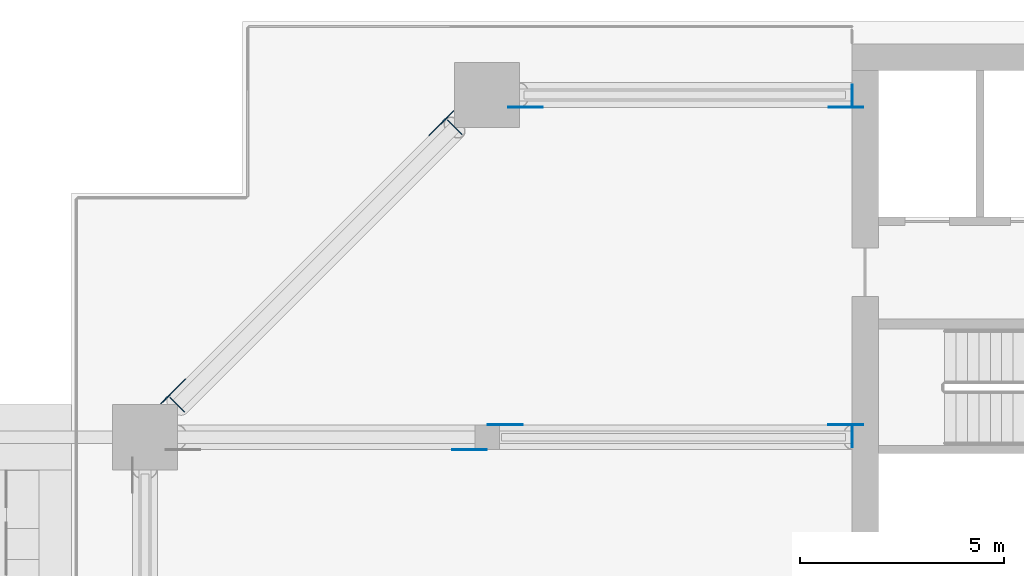
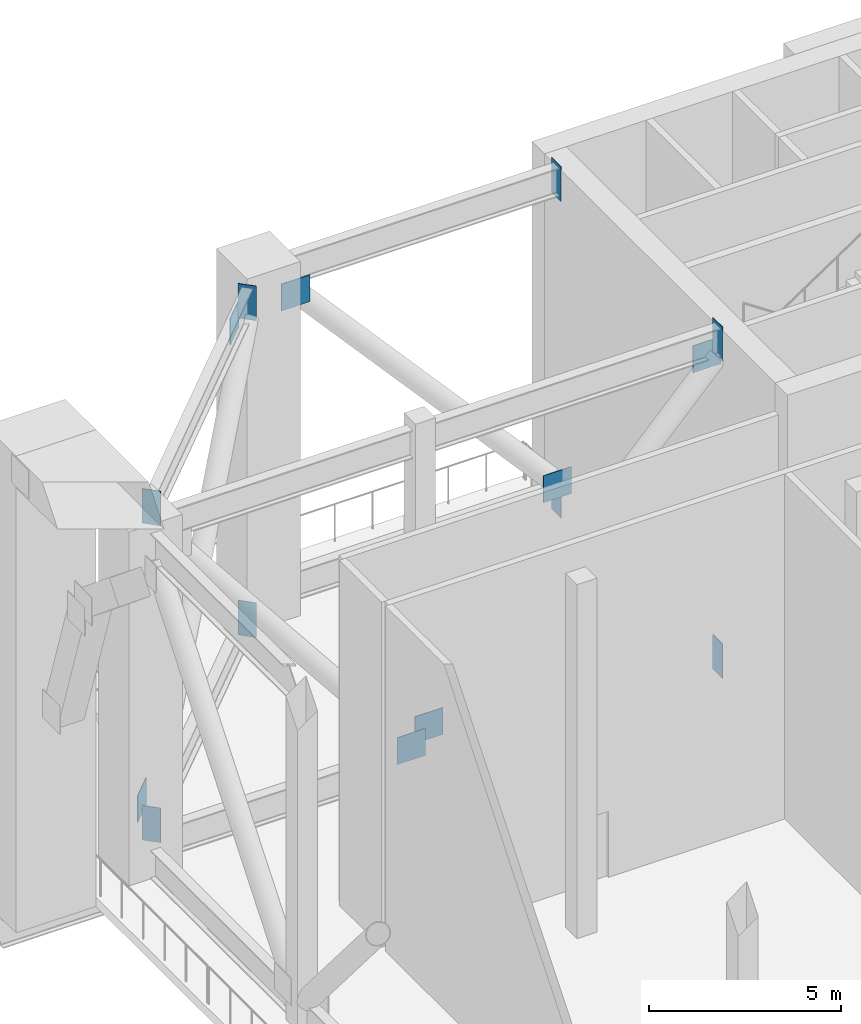
# One storey, part 12 of 19: 15 discrete accessories.
"""IFC4 building model written with IfcOpenShell, lengths in metres."""

from ifc_helpers import new_model, si_unit, direction, frame, origin, origin_2d, place, context, subcontext, project, spatial, rectangle, extrude, element, save


model = new_model("IFC4")

# Units and contexts
model_context = context("Model", 3, precision=1e-05, world=origin(), true_north=direction((0.0, 1.0)))
body_context = subcontext(model_context, "Body", "Model", "MODEL_VIEW")
ifc_project = project(units=[si_unit("LENGTHUNIT", "METRE"), si_unit("AREAUNIT", "SQUARE_METRE"), si_unit("VOLUMEUNIT", "CUBIC_METRE"), si_unit("PLANEANGLEUNIT", "RADIAN"), si_unit("MASSUNIT", "GRAM", prefix="KILO")], contexts=[model_context])

# Site, building, storey
site_placement = place(None, origin())
site = spatial("IfcSite", under=ifc_project, at=site_placement, CompositionType="ELEMENT")
building_placement = place(site_placement, origin())
building = spatial("IfcBuilding", under=site, at=building_placement, Name="Saffron Gate Tower", CompositionType="ELEMENT")
storey_placement = place(building_placement, frame((0.0, 0.0, 194.25)))
storey = spatial("IfcBuildingStorey", under=building, at=storey_placement, Name="L48", CompositionType="ELEMENT", Elevation=194.25)

# Discrete accessories
for number, where, z_axis, x_axis, name in (
    (1, (50.49365234375, 66.52490234375, 0.620361328125), (0.0, 0.0, 1.0), (0.707106781187, 0.707106781187, 0.0), "GUSSET PLATE"),
    (2, (57.0751953125, 73.1064453125, 9.49560546875), (0.0, 0.0, 1.0), (0.707106781187, 0.707106781187, 0.0), "GUSSET PLATE"),
    (3, (57.76708984375, 65.094970703125, 0.639892578125), (0.0, 0.0, 1.0), (-1.0, 0.0, 0.0), "GUSSET PLATE"),
    (4, (58.646484375, 65.705078125, 0.62841796875), (0.0, 0.0, 1.0), (1.0, 0.0, 0.0), "GUSSET PLATE"),
    (5, (67.00341796875, 65.705078125, 9.48779296875), (0.0, 0.0, 1.0), (1.0, 0.0, 0.0), "GUSSET PLATE"),
    (6, (67.00830078125, 73.4951171875, 0.632568359375), (0.0, 0.0, 1.0), (-1.0, 0.0, 0.0), "GUSSET PLATE"),
    (7, (59.141845703125, 73.4951171875, 9.4833984375), (0.0, 0.0, 1.0), (-1.0, 0.0, 0.0), "GUSSET PLATE"),
):
    element("IfcDiscreteAccessory", number, at=place(storey_placement, frame(where, z_axis=z_axis, x_axis=x_axis)), inside=storey, Name=name, ObjectType="GUSSET PLATE", PredefinedType="USERDEFINED", context=body_context, shape_type="SweptSolid", body=[
        extrude(rectangle(XDim=0.85400390625, YDim=0.02001953125, at=origin_2d()), origin(), (0.0, 0.0, 1.0), 0.85400390625),
    ])
for number, where, z_axis, x_axis, name in (
    (8, (57.406982421875, 73.007080078125, 9.969970703125), (0.0, 0.0, 1.0), (0.707106781187, 0.707106781187, 0.0), "BELT TRUSS END PLATE"),
    (9, (50.593017578125, 66.19287109375, 9.969970703125), (0.0, 0.0, 1.0), (-0.707106781187, -0.707106781187, 0.0), "BELT TRUSS END PLATE"),
    (10, (57.406982421875, 73.007080078125, -0.10009765625), (0.0, 0.0, 1.0), (0.707106781187, 0.707106781187, 0.0), "BELT TRUSS END PLATE"),
    (11, (50.593017578125, 66.19287109375, -0.10009765625), (0.0, 0.0, 1.0), (-0.707106781187, -0.707106781187, 0.0), "BELT TRUSS END PLATE"),
):
    element("IfcDiscreteAccessory", number, at=place(storey_placement, frame(where, z_axis=z_axis, x_axis=x_axis)), inside=storey, Name=name, ObjectType="BELT TRUSS END PLATE", PredefinedType="USERDEFINED", context=body_context, shape_type="SweptSolid", body=[
        extrude(rectangle(XDim=0.02001953125, YDim=0.5, at=origin_2d()), origin(), (0.0, 0.0, 1.0), 1.10009765625),
    ])
for number, where, z_axis, x_axis, name in (
    (12, (67.159912109375, 65.39990234375, 9.969970703125), (0.0, 0.0, 1.0), (1.0, 0.0, 0.0), "OUTRIGGER CAST-IN PLATE"),
    (13, (67.159912109375, 65.39990234375, -0.10009765625), (0.0, 0.0, 1.0), (1.0, 0.0, 0.0), "OUTRIGGER CAST-IN PLATE"),
    (14, (67.159912109375, 73.800048828125, 9.969970703125), (0.0, 0.0, 1.0), (1.0, 0.0, 0.0), "OUTRIGGER CAST-IN PLATE"),
    (15, (67.159912109375, 73.800048828125, -0.10009765625), (0.0, 0.0, 1.0), (1.0, 0.0, 0.0), "OUTRIGGER CAST-IN PLATE"),
):
    element("IfcDiscreteAccessory", number, at=place(storey_placement, frame(where, z_axis=z_axis, x_axis=x_axis)), inside=storey, Name=name, ObjectType="OUTRIGGER CAST-IN PLATE", PredefinedType="USERDEFINED", context=body_context, shape_type="SweptSolid", body=[
        extrude(rectangle(XDim=0.02001953125, YDim=0.5, at=origin_2d()), origin(), (0.0, 0.0, 1.0), 1.10009765625),
    ])

save(model, "model.ifc")
